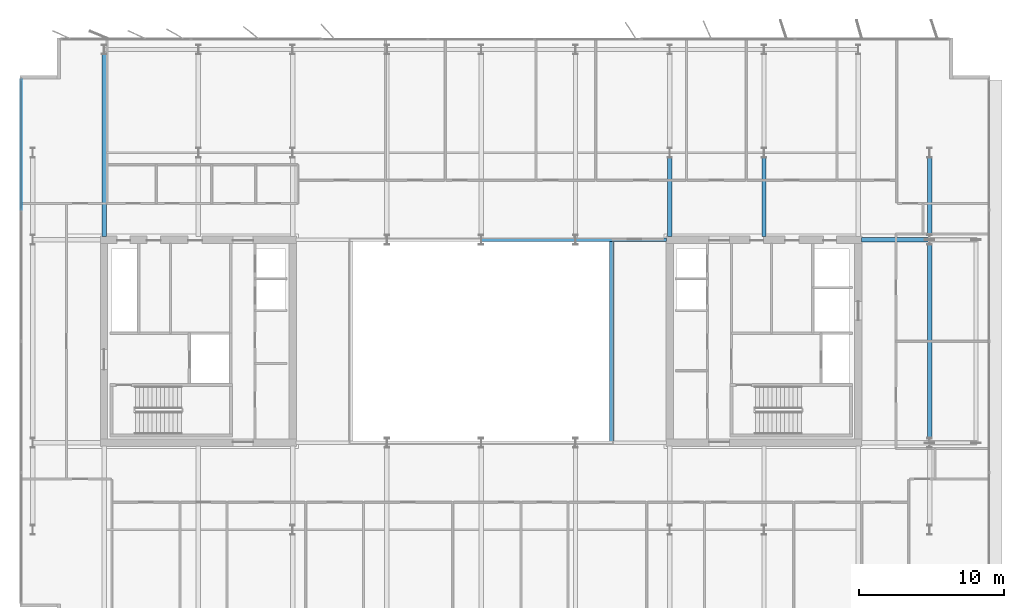
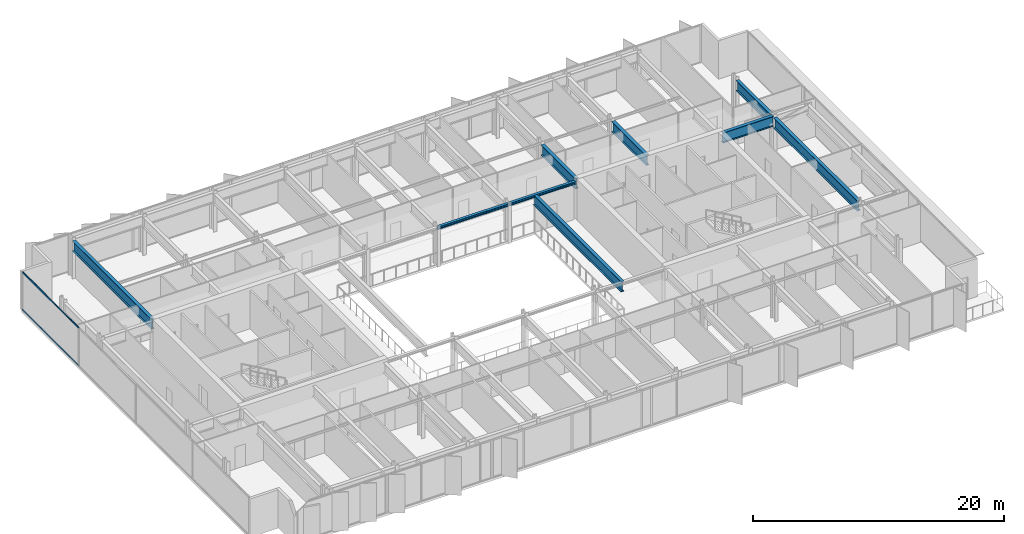
# One storey, part 7 of 20: 9 beams, 2 members, 1 element without a shape of its own.
"""IFC4 building model written with IfcOpenShell, lengths in metres."""

from ifc_helpers import new_model, si_unit, direction, frame, origin, origin_2d, place, context, subcontext, project, spatial, rectangle, i_section, extrude, material, layer, layer_set, material_profile, profile_set, type_object, element, aggregate, save


model = new_model("IFC4")

# Units and contexts
model_context = context("Model", 3, precision=1e-05, world=origin(), true_north=direction((0.0, 1.0)))
body_context = subcontext(model_context, "Body", "Model", "MODEL_VIEW")
ifc_project = project(units=[si_unit("LENGTHUNIT", "METRE"), si_unit("AREAUNIT", "SQUARE_METRE"), si_unit("VOLUMEUNIT", "CUBIC_METRE"), si_unit("PLANEANGLEUNIT", "RADIAN"), si_unit("MASSUNIT", "GRAM", prefix="KILO")], contexts=[model_context])

# Site, building, storey
site_placement = place(None, origin())
site = spatial("IfcSite", under=ifc_project, at=site_placement, CompositionType="ELEMENT")
building_placement = place(site_placement, origin())
building = spatial("IfcBuilding", under=site, at=building_placement, Name="Putna Gate Headquarters", CompositionType="ELEMENT")
storey_placement = place(building_placement, frame((0.0, 0.0, 306.39990234375)))
storey = spatial("IfcBuildingStorey", under=building, at=storey_placement, Name="L77", CompositionType="ELEMENT", Elevation=306.39990234375)

# Beams
ifc_material_1 = material(Name="Steel S355J2", Category="steel")
ifc_material_profile_1 = material_profile(ifc_material_1, i_section(OverallWidth=0.260009765625, OverallDepth=0.260009765625, WebThickness=0.010009765625, FlangeThickness=0.017578125, at=origin_2d()), Name="Steel S355J2")
ifc_profile_set_1 = profile_set([ifc_material_profile_1], Name="Steel S355J2")
beam_type_1 = type_object("IfcBeamType", Name="BM-ATRIUM-HEB260", PredefinedType="BEAM", material=ifc_profile_set_1)
beam_1_placement = place(storey_placement, frame((39.006103515625, 33.0, 3.590087890625), z_axis=(1.0, 0.0, 0.0), x_axis=(0.0, 1.0, 0.0)))
element("IfcBeam", 1, at=beam_1_placement, inside=storey, type_object=beam_type_1, Name="L77 Atrium Edge Beam AN3", PredefinedType="BEAM", context=body_context, shape_type="SweptSolid", body=[
    extrude(i_section(OverallWidth=0.260009765625, OverallDepth=0.260009765625, WebThickness=0.010009765625, FlangeThickness=0.017578125, at=origin_2d()), origin(), (0.0, 0.0, 1.0), 6.48779296875),
])
beam_2_placement = place(storey_placement, frame((45.506103515625, 33.0, 3.590087890625), z_axis=(1.0, 0.0, 0.0), x_axis=(0.0, 1.0, 0.0)))
element("IfcBeam", 2, at=beam_2_placement, inside=storey, type_object=beam_type_1, Name="L77 Atrium Edge Beam AN4", PredefinedType="BEAM", context=body_context, shape_type="SweptSolid", body=[
    extrude(i_section(OverallWidth=0.260009765625, OverallDepth=0.260009765625, WebThickness=0.010009765625, FlangeThickness=0.017578125, at=origin_2d()), origin(), (0.0, 0.0, 1.0), 6.2587890625),
])
ifc_material_2 = material(Name="Steel S460M", Category="steel")
ifc_material_profile_2 = material_profile(ifc_material_2, i_section(OverallWidth=0.302001953125, OverallDepth=1.008056640625, WebThickness=0.02099609375, FlangeThickness=0.0400390625, at=origin_2d()), Name="Steel S460M")
ifc_profile_set_2 = profile_set([ifc_material_profile_2], Name="Steel S460M")
beam_type_2 = type_object("IfcBeamType", Name="BM-TG-HEM1000", PredefinedType="USERDEFINED", material=ifc_profile_set_2)
beam_3_placement = place(storey_placement, frame((65.235107421875, 33.0, 3.216064453125), z_axis=(1.0, 0.0, 0.0), x_axis=(0.0, 1.0, 0.0)))
element("IfcBeam", 3, at=beam_3_placement, inside=storey, type_object=beam_type_2, Name="L77 East Wing Girder Y33", ObjectType="GIRDER", PredefinedType="USERDEFINED", context=body_context, shape_type="SweptSolid", body=[
    extrude(i_section(OverallWidth=0.302001953125, OverallDepth=1.008056640625, WebThickness=0.02099609375, FlangeThickness=0.0400390625, at=origin_2d()), origin(), (0.0, 0.0, 1.0), 4.678955078125),
])
beam_4_placement = place(storey_placement, frame((13.0, 33.235107421875, 3.216064453125), z_axis=(0.0, 1.0, 0.0), x_axis=(-1.0, 0.0, 0.0)))
element("IfcBeam", 4, at=beam_4_placement, inside=storey, type_object=beam_type_2, Name="L77 North Primary Girder X13", ObjectType="GIRDER", PredefinedType="USERDEFINED", context=body_context, shape_type="SweptSolid", body=[
    extrude(i_section(OverallWidth=0.302001953125, OverallDepth=1.008056640625, WebThickness=0.02099609375, FlangeThickness=0.0400390625, at=origin_2d()), origin(), (0.0, 0.0, 1.0), 12.56298828125),
])
for number, where, z_axis, x_axis, name in (
    (5, (52.0, 33.235107421875, 3.216064453125), (0.0, 1.0, 0.0), (-1.0, 0.0, 0.0), "L77 North Primary Girder X52-1"),
    (6, (58.5, 33.235107421875, 3.216064453125), (0.0, 1.0, 0.0), (-1.0, 0.0, 0.0), "L77 North Primary Girder X58-1"),
):
    element("IfcBeam", number, at=place(storey_placement, frame(where, z_axis=z_axis, x_axis=x_axis)), inside=storey, type_object=beam_type_2, Name=name, ObjectType="GIRDER", PredefinedType="USERDEFINED", context=body_context, shape_type="SweptSolid", body=[
        extrude(i_section(OverallWidth=0.302001953125, OverallDepth=1.008056640625, WebThickness=0.02099609375, FlangeThickness=0.0400390625, at=origin_2d()), origin(), (0.0, 0.0, 1.0), 5.44287109375),
    ])
beam_5_placement = place(storey_placement, frame((48.0, 19.010009765625, 3.216064453125), z_axis=(0.0, 1.0, 0.0), x_axis=(-1.0, 0.0, 0.0)))
element("IfcBeam", 7, at=beam_5_placement, inside=storey, type_object=beam_type_2, Name="L77 Atrium Trim Girder AE", ObjectType="GIRDER", PredefinedType="USERDEFINED", context=body_context, shape_type="SweptSolid", body=[
    extrude(i_section(OverallWidth=0.302001953125, OverallDepth=1.008056640625, WebThickness=0.02099609375, FlangeThickness=0.0400390625, at=origin_2d()), origin(), (0.0, 0.0, 1.0), 13.97998046875),
])
ifc_material_profile_3 = material_profile(ifc_material_2, i_section(OverallWidth=0.302001953125, OverallDepth=1.008056640625, WebThickness=0.02099609375, FlangeThickness=0.0400390625, at=origin_2d()), Name="Steel S460M")
ifc_profile_set_3 = profile_set([ifc_material_profile_3], Name="Steel S460M")
beam_type_3 = type_object("IfcBeamType", Name="BM-TG-HEM1000-EXT", PredefinedType="USERDEFINED", material=ifc_profile_set_3)
beam_6_placement = place(storey_placement, frame((69.919921875, 19.322021484375, 3.216064453125), z_axis=(0.0, 1.0, 0.0), x_axis=(-1.0, 0.0, 0.0)))
element("IfcBeam", 8, at=beam_6_placement, inside=storey, type_object=beam_type_3, Name="L77 E End Spandrel 2", ObjectType="GIRDER", PredefinedType="USERDEFINED", context=body_context, shape_type="SweptSolid", body=[
    extrude(i_section(OverallWidth=0.302001953125, OverallDepth=1.008056640625, WebThickness=0.02099609375, FlangeThickness=0.0400390625, at=origin_2d()), origin(), (0.0, 0.0, 1.0), 13.35595703125),
])
beam_7_placement = place(storey_placement, frame((69.919921875, 33.322021484375, 3.216064453125), z_axis=(0.0, 1.0, 0.0), x_axis=(-1.0, 0.0, 0.0)))
element("IfcBeam", 9, at=beam_7_placement, inside=storey, type_object=beam_type_3, Name="L77 E End Spandrel 3", ObjectType="GIRDER", PredefinedType="USERDEFINED", context=body_context, shape_type="SweptSolid", body=[
    extrude(i_section(OverallWidth=0.302001953125, OverallDepth=1.008056640625, WebThickness=0.02099609375, FlangeThickness=0.0400390625, at=origin_2d()), origin(), (0.0, 0.0, 1.0), 5.35595703125),
])

# Curtain wall, members
ifc_material_3 = material(Name="Anodised bronze aluminium curtain wall", Category="aluminium")
ifc_layer = layer(ifc_material_3, 0.179931640625)
ifc_layer_set = layer_set([ifc_layer], Name="Anodised bronze aluminium curtain wall")
curtain_wall_type = type_object("IfcCurtainWallType", Name="CW-SYS-Z5", PredefinedType="USERDEFINED", material=ifc_layer_set)
curtain_wall_placement = place(storey_placement, origin())
curtain_wall = element("IfcCurtainWall", 10, at=curtain_wall_placement, inside=storey, type_object=curtain_wall_type, Name="L77 West Curtain Wall", ObjectType="STICK CURTAIN WALL", PredefinedType="USERDEFINED")
ifc_material_4 = material(Name="Anodised bronze aluminium EN AW-6060", Category="aluminium")
ifc_material_profile_4 = material_profile(ifc_material_4, rectangle(XDim=0.06005859375, YDim=0.10009765625, at=origin_2d()), Name="Anodised bronze aluminium EN AW-6060")
ifc_profile_set_4 = profile_set([ifc_material_profile_4], Name="Anodised bronze aluminium EN AW-6060")
member_type = type_object("IfcMemberType", Name="TRAN-CWT-5", PredefinedType="USERDEFINED", material=ifc_profile_set_4)
member_1_placement = place(storey_placement, frame((7.280029296875, 35.0849609375, 0.030029296875), z_axis=(0.0, 1.0, 0.0), x_axis=(-1.0, 0.0, 0.0)))
member_1 = element("IfcMember", 11, at=member_1_placement, type_object=member_type, Name="CWS-5 transom 4.1", ObjectType="TRANSOM", PredefinedType="USERDEFINED", context=body_context, shape_type="SweptSolid", body=[
    extrude(rectangle(XDim=0.06005859375, YDim=0.10009765625, at=origin_2d()), origin(), (0.0, 0.0, 1.0), 8.945068359375),
])
member_2_placement = place(storey_placement, frame((7.280029296875, 35.0849609375, 3.690185546875), z_axis=(0.0, 1.0, 0.0), x_axis=(-1.0, 0.0, 0.0)))
member_2 = element("IfcMember", 12, at=member_2_placement, type_object=member_type, Name="CWS-5 transom 4.2", ObjectType="TRANSOM", PredefinedType="USERDEFINED", context=body_context, shape_type="SweptSolid", body=[
    extrude(rectangle(XDim=0.06005859375, YDim=0.10009765625, at=origin_2d()), origin(), (0.0, 0.0, 1.0), 8.945068359375),
])
aggregate(curtain_wall, [member_1, member_2])

save(model, "model.ifc")
